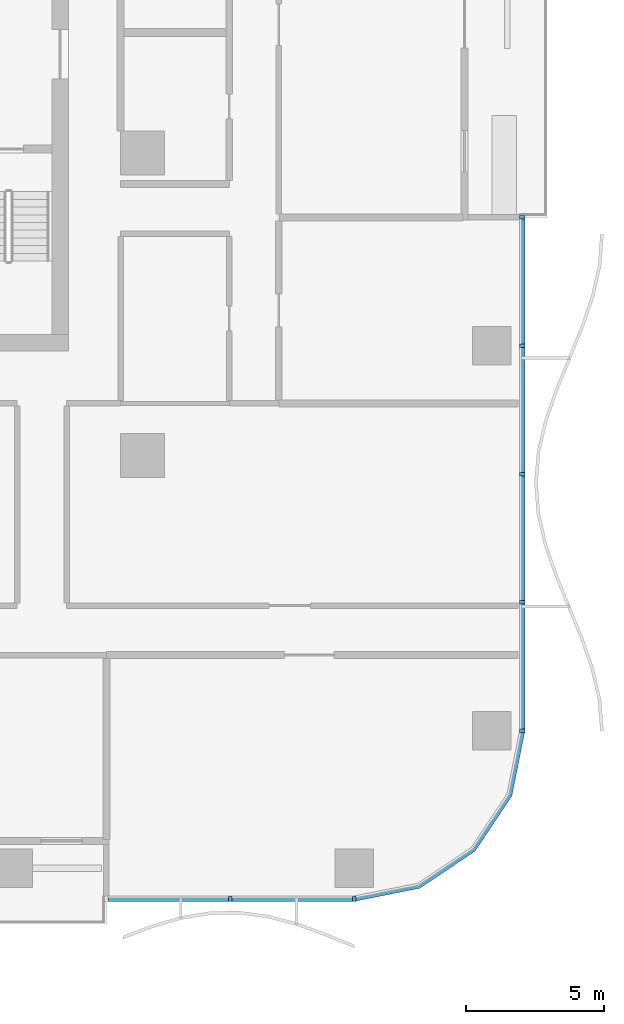
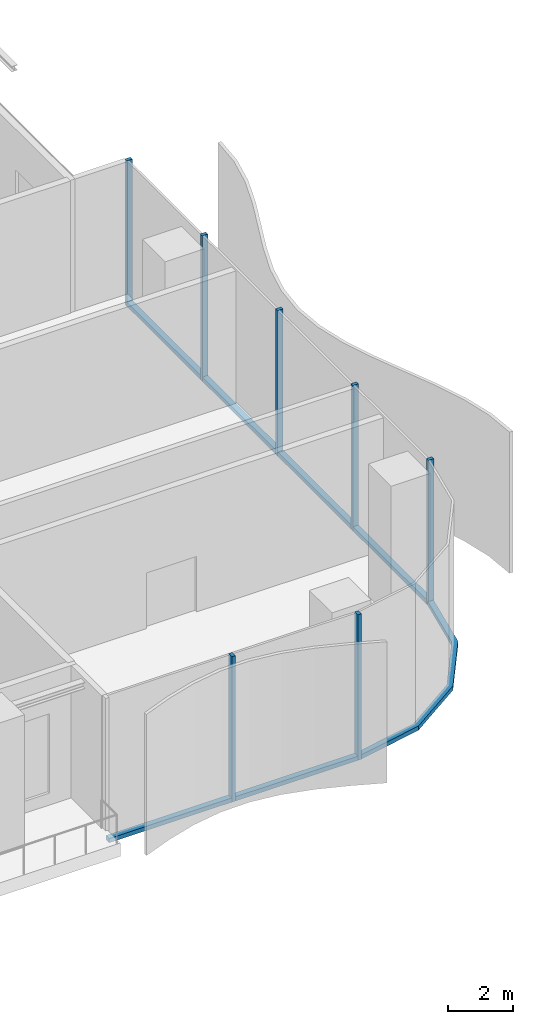
# One storey, part 3 of 20: 14 members, 3 elements without a shape of their own.
"""IFC4 building model written with IfcOpenShell, lengths in metres."""

from ifc_helpers import new_model, si_unit, direction, frame, origin, origin_2d, place, context, subcontext, project, spatial, polyline, rectangle, outline, extrude, material, material_profile, profile_set, type_object, element, aggregate, save


model = new_model("IFC4")

# Units and contexts
model_context = context("Model", 3, precision=1e-05, world=origin(), true_north=direction((0.0, 1.0)))
body_context = subcontext(model_context, "Body", "Model", "MODEL_VIEW")
ifc_project = project(units=[si_unit("LENGTHUNIT", "METRE"), si_unit("AREAUNIT", "SQUARE_METRE"), si_unit("VOLUMEUNIT", "CUBIC_METRE"), si_unit("PLANEANGLEUNIT", "RADIAN"), si_unit("MASSUNIT", "GRAM", prefix="KILO")], contexts=[model_context])

# Site, building, storey
site_placement = place(None, origin())
site = spatial("IfcSite", under=ifc_project, at=site_placement, CompositionType="ELEMENT")
building_placement = place(site_placement, origin())
building = spatial("IfcBuilding", under=site, at=building_placement, Name="Mopane Tessera Tower", CompositionType="ELEMENT")
storey_placement = place(building_placement, frame((0.0, 0.0, 14.5)))
storey = spatial("IfcBuildingStorey", under=building, at=storey_placement, Name="L02", CompositionType="ELEMENT", Elevation=14.5)

# Curtain wall, members
ifc_material_1 = material(Name="Aluminium frame", Category="aluminium")
curtain_wall_type = type_object("IfcCurtainWallType", Name="Podium unitised wall", PredefinedType="NOTDEFINED", material=ifc_material_1)
curtain_wall_1_placement = place(storey_placement, origin())
curtain_wall_1 = element("IfcCurtainWall", 1, at=curtain_wall_1_placement, inside=storey, type_object=curtain_wall_type, Name="e:cw:L02:S:9", PredefinedType="NOTDEFINED")
ifc_material_2 = material(Name="Aluminium frame", Category="aluminium")
ifc_material_profile_1 = material_profile(ifc_material_2, rectangle(XDim=0.125, YDim=0.199951171875, at=origin_2d()))
ifc_profile_set_1 = profile_set([ifc_material_profile_1], Name="Aluminium frame")
member_type_1 = type_object("IfcMemberType", Name="Aluminium mullion 125 x 200", PredefinedType="MULLION", material=ifc_profile_set_1)
member_1_placement = place(storey_placement, frame((20.291015625, -27.10009765625, -0.5), z_axis=(0.0, 0.0, 1.0), x_axis=(1.0, 0.0, 0.0)))
member_1 = element("IfcMember", 2, at=member_1_placement, type_object=member_type_1, Name="e:cw:L02:S:9:mu10", PredefinedType="MULLION", context=body_context, shape_type="SweptSolid", body=[
    extrude(rectangle(XDim=0.125, YDim=0.199951171875, at=origin_2d()), origin(), (0.0, 0.0, 1.0), 5.5),
])
member_2_placement = place(storey_placement, frame((24.800048828125, -27.10009765625, -0.5), z_axis=(0.0, 0.0, 1.0), x_axis=(1.0, 0.0, 0.0)))
member_2 = element("IfcMember", 3, at=member_2_placement, type_object=member_type_1, Name="e:cw:L02:S:9:mu11", PredefinedType="MULLION", context=body_context, shape_type="SweptSolid", body=[
    extrude(rectangle(XDim=0.125, YDim=0.199951171875, at=origin_2d()), origin(), (0.0, 0.0, 1.0), 5.5),
])

curtain_wall_2_placement = place(storey_placement, origin())
curtain_wall_2 = element("IfcCurtainWall", 4, at=curtain_wall_2_placement, inside=storey, type_object=curtain_wall_type, Name="e:cw:L02:E:0", PredefinedType="NOTDEFINED")
member_3_placement = place(storey_placement, frame((30.89990234375, -21.0, -0.5), z_axis=(0.0, 0.0, 1.0), x_axis=(0.0, 1.0, 0.0)))
member_3 = element("IfcMember", 5, at=member_3_placement, type_object=member_type_1, Name="e:cw:L02:E:0:mu0", PredefinedType="MULLION", context=body_context, shape_type="SweptSolid", body=[
    extrude(rectangle(XDim=0.125, YDim=0.199951171875, at=origin_2d()), origin(), (0.0, 0.0, 1.0), 5.5),
])
member_4_placement = place(storey_placement, frame((30.89990234375, -16.333251953125, -0.5), z_axis=(0.0, 0.0, 1.0), x_axis=(0.0, 1.0, 0.0)))
member_4 = element("IfcMember", 6, at=member_4_placement, type_object=member_type_1, Name="e:cw:L02:E:0:mu1", PredefinedType="MULLION", context=body_context, shape_type="SweptSolid", body=[
    extrude(rectangle(XDim=0.125, YDim=0.199951171875, at=origin_2d()), origin(), (0.0, 0.0, 1.0), 5.5),
])
member_5_placement = place(storey_placement, frame((30.89990234375, -11.666748046875, -0.5), z_axis=(0.0, 0.0, 1.0), x_axis=(0.0, 1.0, 0.0)))
member_5 = element("IfcMember", 7, at=member_5_placement, type_object=member_type_1, Name="e:cw:L02:E:0:mu2", PredefinedType="MULLION", context=body_context, shape_type="SweptSolid", body=[
    extrude(rectangle(XDim=0.125, YDim=0.199951171875, at=origin_2d()), origin(), (0.0, 0.0, 1.0), 5.5),
])
member_6_placement = place(storey_placement, frame((30.89990234375, -7.0, -0.5), z_axis=(0.0, 0.0, 1.0), x_axis=(0.0, 1.0, 0.0)))
member_6 = element("IfcMember", 8, at=member_6_placement, type_object=member_type_1, Name="e:cw:L02:E:0:mu3", PredefinedType="MULLION", context=body_context, shape_type="SweptSolid", body=[
    extrude(rectangle(XDim=0.125, YDim=0.199951171875, at=origin_2d()), origin(), (0.0, 0.0, 1.0), 5.5),
])
member_7_placement = place(storey_placement, frame((30.89990234375, -2.333251953125, -0.5), z_axis=(0.0, 0.0, 1.0), x_axis=(0.0, 1.0, 0.0)))
member_7 = element("IfcMember", 9, at=member_7_placement, type_object=member_type_1, Name="e:cw:L02:E:0:mu4", PredefinedType="MULLION", context=body_context, shape_type="SweptSolid", body=[
    extrude(rectangle(XDim=0.125, YDim=0.199951171875, at=origin_2d()), origin(), (0.0, 0.0, 1.0), 5.5),
])

# Member
ifc_material_3 = material(Name="Aluminium frame", Category="aluminium")
ifc_material_profile_2 = material_profile(ifc_material_3, rectangle(XDim=0.199951171875, YDim=0.159912109375, at=origin_2d()))
ifc_profile_set_2 = profile_set([ifc_material_profile_2], Name="Aluminium frame")
member_type_2 = type_object("IfcMemberType", Name="Aluminium transom 200 x 160", PredefinedType="USERDEFINED", material=ifc_profile_set_2)
member_8_placement = place(storey_placement, frame((15.84423828125, -27.10009765625, -0.419921875), z_axis=(1.0, 0.0, 0.0), x_axis=(0.0, 1.0, 0.0)))
member_8 = element("IfcMember", 10, at=member_8_placement, type_object=member_type_2, Name="e:cw:L02:S:9:tr9", ObjectType="TRANSOM", PredefinedType="USERDEFINED", context=body_context, shape_type="SweptSolid", body=[
    extrude(rectangle(XDim=0.199951171875, YDim=0.159912109375, at=origin_2d()), origin(), (0.0, 0.0, 1.0), 4.38427734375),
])

member_9_placement = place(storey_placement, frame((20.353515625, -27.10009765625, -0.419921875), z_axis=(1.0, 0.0, 0.0), x_axis=(0.0, 1.0, 0.0)))
member_9 = element("IfcMember", 11, at=member_9_placement, type_object=member_type_2, Name="e:cw:L02:S:9:tr10", ObjectType="TRANSOM", PredefinedType="USERDEFINED", context=body_context, shape_type="SweptSolid", body=[
    extrude(rectangle(XDim=0.199951171875, YDim=0.159912109375, at=origin_2d()), origin(), (0.0, 0.0, 1.0), 4.384033203125),
])

aggregate(curtain_wall_1, [member_1, member_2, member_8, member_9])

# Curtain wall, member
curtain_wall_3_placement = place(storey_placement, origin())
curtain_wall_3 = element("IfcCurtainWall", 12, at=curtain_wall_3_placement, inside=storey, type_object=curtain_wall_type, Name="e:cw:L02:CS", PredefinedType="NOTDEFINED")
member_10_placement = place(storey_placement, frame((0.0, 0.0, -0.5)))
member_10 = element("IfcMember", 13, at=member_10_placement, type_object=member_type_2, Name="e:cw:L02:CS:tr", ObjectType="TRANSOM", PredefinedType="USERDEFINED", context=body_context, shape_type="SweptSolid", body=[
    extrude(outline(polyline([(24.800048828125, -27.0), (27.09619140625, -26.543212890625), (29.042724609375, -25.24267578125), (30.34326171875, -23.296142578125), (30.800048828125, -21.0), (31.0, -21.0), (30.528076171875, -23.37255859375), (29.18408203125, -25.384033203125), (27.172607421875, -26.72802734375), (24.800048828125, -27.199951171875), (24.800048828125, -27.0)])), origin(), (0.0, 0.0, 1.0), 0.159912109375),
])
aggregate(curtain_wall_3, [member_10])

# Member
member_11_placement = place(storey_placement, frame((30.89990234375, -20.9375, -0.419921875), z_axis=(0.0, 1.0, 0.0), x_axis=(-1.0, 0.0, 0.0)))
member_11 = element("IfcMember", 14, at=member_11_placement, type_object=member_type_2, Name="e:cw:L02:E:0:tr0", ObjectType="TRANSOM", PredefinedType="USERDEFINED", context=body_context, shape_type="SweptSolid", body=[
    extrude(rectangle(XDim=0.199951171875, YDim=0.159912109375, at=origin_2d()), origin(), (0.0, 0.0, 1.0), 4.541748046875),
])

member_12_placement = place(storey_placement, frame((30.89990234375, -16.270751953125, -0.419921875), z_axis=(0.0, 1.0, 0.0), x_axis=(-1.0, 0.0, 0.0)))
member_12 = element("IfcMember", 15, at=member_12_placement, type_object=member_type_2, Name="e:cw:L02:E:0:tr1", ObjectType="TRANSOM", PredefinedType="USERDEFINED", context=body_context, shape_type="SweptSolid", body=[
    extrude(rectangle(XDim=0.199951171875, YDim=0.159912109375, at=origin_2d()), origin(), (0.0, 0.0, 1.0), 4.54150390625),
])

member_13_placement = place(storey_placement, frame((30.89990234375, -11.604248046875, -0.419921875), z_axis=(0.0, 1.0, 0.0), x_axis=(-1.0, 0.0, 0.0)))
member_13 = element("IfcMember", 16, at=member_13_placement, type_object=member_type_2, Name="e:cw:L02:E:0:tr2", ObjectType="TRANSOM", PredefinedType="USERDEFINED", context=body_context, shape_type="SweptSolid", body=[
    extrude(rectangle(XDim=0.199951171875, YDim=0.159912109375, at=origin_2d()), origin(), (0.0, 0.0, 1.0), 4.541748046875),
])

member_14_placement = place(storey_placement, frame((30.89990234375, -6.9375, -0.419921875), z_axis=(0.0, 1.0, 0.0), x_axis=(-1.0, 0.0, 0.0)))
member_14 = element("IfcMember", 17, at=member_14_placement, type_object=member_type_2, Name="e:cw:L02:E:0:tr3", ObjectType="TRANSOM", PredefinedType="USERDEFINED", context=body_context, shape_type="SweptSolid", body=[
    extrude(rectangle(XDim=0.199951171875, YDim=0.159912109375, at=origin_2d()), origin(), (0.0, 0.0, 1.0), 4.541748046875),
])

aggregate(curtain_wall_2, [member_3, member_4, member_5, member_6, member_7, member_11, member_12, member_13, member_14])

save(model, "model.ifc")
